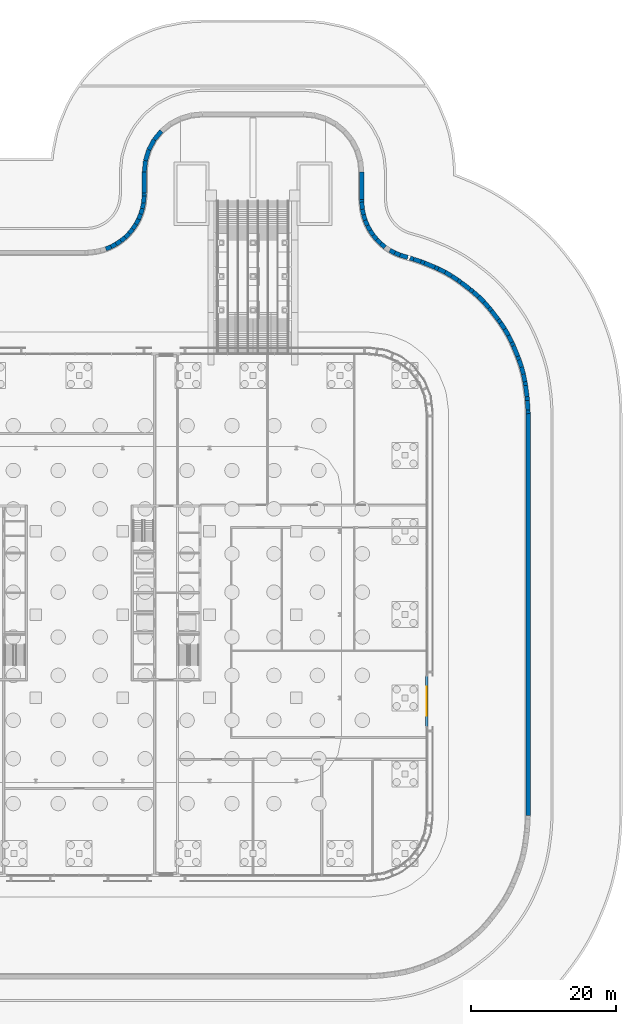
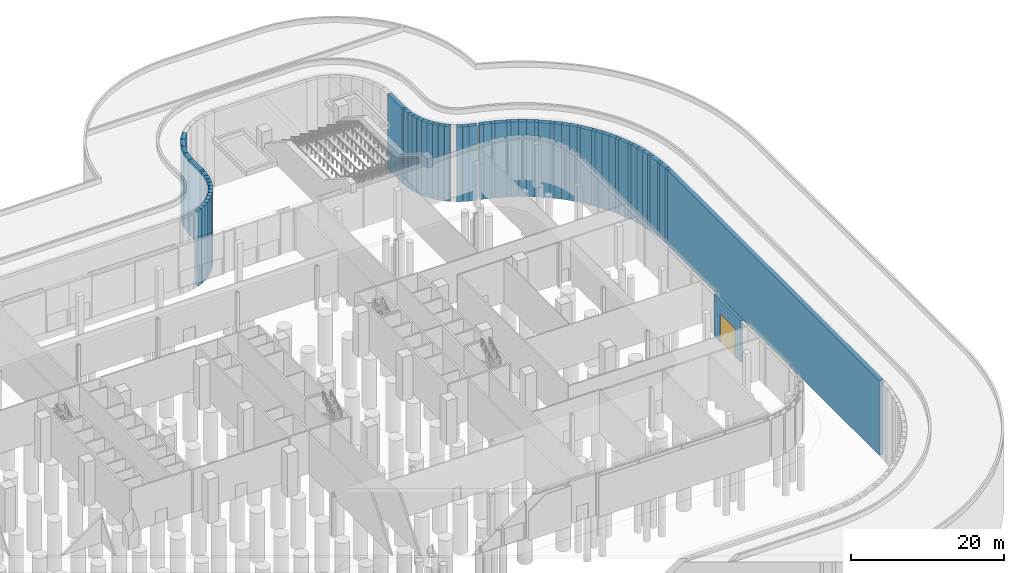
# One storey, part 30 of 48: 65 walls, 1 door, 1 opening.
"""IFC4 building model written with IfcOpenShell, lengths in metres."""

from ifc_helpers import new_model, si_unit, direction, frame, frame_2d, origin, place, context, subcontext, project, spatial, rectangle, extrude, material, layer, layer_set, type_object, element, fill, save


model = new_model("IFC4")

# Units and contexts
model_context = context("Model", 3, precision=1e-05, world=origin(), true_north=direction((0.0, 1.0)))
body_context = subcontext(model_context, "Body", "Model", "MODEL_VIEW")
ifc_project = project(units=[si_unit("LENGTHUNIT", "METRE"), si_unit("AREAUNIT", "SQUARE_METRE"), si_unit("VOLUMEUNIT", "CUBIC_METRE"), si_unit("PLANEANGLEUNIT", "RADIAN"), si_unit("MASSUNIT", "GRAM", prefix="KILO")], contexts=[model_context])

# Site, building, storey
site_placement = place(None, origin())
site = spatial("IfcSite", under=ifc_project, at=site_placement, CompositionType="ELEMENT")
building_placement = place(site_placement, origin())
building = spatial("IfcBuilding", under=site, at=building_placement, Name="Mahtab Terrace Research Tower", CompositionType="ELEMENT")
storey_placement = place(building_placement, origin())
storey = spatial("IfcBuildingStorey", under=building, at=storey_placement, Name="G", CompositionType="ELEMENT", Elevation=0.0)

# Wall, opening, door
ifc_material_1 = material(Name="Precast concrete C40/50", Category="concrete")
ifc_layer_1 = layer(ifc_material_1, 0.300048828125)
ifc_layer_set_1 = layer_set([ifc_layer_1], Name="Ground facade infill wall 300")
wall_type_1 = type_object("IfcWallType", Name="Ground facade infill wall 300", PredefinedType="NOTDEFINED", material=ifc_layer_set_1)
wall_1_placement = place(storey_placement, frame((60.0, -8.5, 0.0), z_axis=(0.0, 0.0, 1.0), x_axis=(0.0, -1.0, 0.0)))
wall_1 = element("IfcWall", 1, at=wall_1_placement, inside=storey, type_object=wall_type_1, Name="Ground facade wall Loading dock", PredefinedType="NOTDEFINED", context=body_context, shape_type="SweptSolid", body=[
    extrude(rectangle(XDim=7.0, YDim=0.300048828125, at=frame_2d((3.5, 0.0))), origin(), (0.0, 0.0, 1.0), 6.699951171875),
])
opening_placement = place(wall_1_placement, frame((1.5, 0.0, 0.0)))
opening = element("IfcOpeningElement", 2, at=opening_placement, cuts=wall_1, Name="Opening ED4", PredefinedType="OPENING", context=body_context, shape_type="SweptSolid", body=[
    extrude(rectangle(XDim=4.0, YDim=4.5, at=frame_2d((2.0, 2.25))), frame((0.0, 0.159912109375, 0.0), z_axis=(0.0, -1.0, 0.0), x_axis=(1.0, 0.0, 0.0)), (0.0, 0.0, 1.0), 0.320068359375),
])
ifc_material_2 = material(Name="Natural anodised aluminium", Category="aluminium")
door_type = type_object("IfcDoorType", Name="Loading dock roller shutter 4000x4500", OperationType="ROLLINGUP", PredefinedType="GATE", material=ifc_material_2)
door_placement = place(opening_placement, origin())
door = element("IfcDoor", 3, at=door_placement, inside=storey, type_object=door_type, Name="Loading dock", OperationType="SINGLE_SWING_LEFT", OverallHeight=4.5, OverallWidth=4.0, PredefinedType="GATE", context=body_context, shape_type="SweptSolid", body=[
    extrude(rectangle(XDim=4.0, YDim=4.5, at=frame_2d((2.0, 2.25))), frame((0.0, 0.02490234375, 0.0), z_axis=(0.0, -1.0, 0.0), x_axis=(1.0, 0.0, 0.0)), (0.0, 0.0, 1.0), 0.050048828125),
])
fill(opening, door)

# Walls
ifc_material_3 = material(Name="Concrete C32/40", Category="concrete")
ifc_layer_2 = layer(ifc_material_3, 0.60009765625)
ifc_layer_set_2 = layer_set([ifc_layer_2], Name="Site retaining wall 600")
wall_type_2 = type_object("IfcWallType", Name="Site retaining wall 600", PredefinedType="SOLIDWALL", material=ifc_layer_set_2)
wall_2_placement = place(storey_placement, frame((15.68505859375, 50.4951171875, -12.25), z_axis=(0.0, 0.0, 1.0), x_axis=(0.924153657399, 0.382020964761, 0.0)))
element("IfcWall", 4, at=wall_2_placement, inside=storey, type_object=wall_type_2, Name="Site retaining wall 37", PredefinedType="SOLIDWALL", context=body_context, shape_type="SweptSolid", body=[
    extrude(rectangle(XDim=0.7822265625, YDim=0.60009765625, at=frame_2d((0.39111328125, 0.0))), origin(), (0.0, 0.0, 1.0), 11.93994140625),
])
wall_3_placement = place(storey_placement, frame((16.407958984375, 50.7939453125, -12.25), z_axis=(0.0, 0.0, 1.0), x_axis=(0.881730317044, 0.471753800202, 0.0)))
element("IfcWall", 5, at=wall_3_placement, inside=storey, type_object=wall_type_2, Name="Site retaining wall 38", PredefinedType="SOLIDWALL", context=body_context, shape_type="SweptSolid", body=[
    extrude(rectangle(XDim=0.782470703125, YDim=0.60009765625, at=frame_2d((0.39111328125, 0.0))), origin(), (0.0, 0.0, 1.0), 11.93994140625),
])
wall_4_placement = place(storey_placement, frame((17.097900390625, 51.1630859375, -12.25), z_axis=(0.0, 0.0, 1.0), x_axis=(0.831233022947, 0.555924150908, 0.0)))
element("IfcWall", 6, at=wall_4_placement, inside=storey, type_object=wall_type_2, Name="Site retaining wall 39", PredefinedType="SOLIDWALL", context=body_context, shape_type="SweptSolid", body=[
    extrude(rectangle(XDim=0.7822265625, YDim=0.60009765625, at=frame_2d((0.39111328125, 0.0))), origin(), (0.0, 0.0, 1.0), 11.93994140625),
])
wall_5_placement = place(storey_placement, frame((17.748046875, 51.597900390625, -12.25), z_axis=(0.0, 0.0, 1.0), x_axis=(0.773261670355, 0.63408705172, 0.0)))
element("IfcWall", 7, at=wall_5_placement, inside=storey, type_object=wall_type_2, Name="Site retaining wall 40", PredefinedType="SOLIDWALL", context=body_context, shape_type="SweptSolid", body=[
    extrude(rectangle(XDim=0.782470703125, YDim=0.60009765625, at=frame_2d((0.39111328125, 0.0))), origin(), (0.0, 0.0, 1.0), 11.93994140625),
])
wall_6_placement = place(storey_placement, frame((18.35302734375, 52.093994140625, -12.25), z_axis=(0.0, 0.0, 1.0), x_axis=(0.707106781187, 0.707106781187, 0.0)))
element("IfcWall", 8, at=wall_6_placement, inside=storey, type_object=wall_type_2, Name="Site retaining wall 41", PredefinedType="SOLIDWALL", context=body_context, shape_type="SweptSolid", body=[
    extrude(rectangle(XDim=0.781982421875, YDim=0.60009765625, at=frame_2d((0.39111328125, 0.0))), origin(), (0.0, 0.0, 1.0), 11.93994140625),
])
wall_7_placement = place(storey_placement, frame((18.906005859375, 52.64697265625, -12.25), z_axis=(0.0, 0.0, 1.0), x_axis=(0.63408705172, 0.773261670355, 0.0)))
element("IfcWall", 9, at=wall_7_placement, inside=storey, type_object=wall_type_2, Name="Site retaining wall 42", PredefinedType="SOLIDWALL", context=body_context, shape_type="SweptSolid", body=[
    extrude(rectangle(XDim=0.782470703125, YDim=0.60009765625, at=frame_2d((0.39111328125, 0.0))), origin(), (0.0, 0.0, 1.0), 11.93994140625),
])
wall_8_placement = place(storey_placement, frame((19.402099609375, 53.251953125, -12.25), z_axis=(0.0, 0.0, 1.0), x_axis=(0.555924150908, 0.831233022947, 0.0)))
element("IfcWall", 10, at=wall_8_placement, inside=storey, type_object=wall_type_2, Name="Site retaining wall 43", PredefinedType="SOLIDWALL", context=body_context, shape_type="SweptSolid", body=[
    extrude(rectangle(XDim=0.7822265625, YDim=0.60009765625, at=frame_2d((0.39111328125, 0.0))), origin(), (0.0, 0.0, 1.0), 11.93994140625),
])
wall_9_placement = place(storey_placement, frame((19.8369140625, 53.902099609375, -12.25), z_axis=(0.0, 0.0, 1.0), x_axis=(0.471753800202, 0.881730317044, 0.0)))
element("IfcWall", 11, at=wall_9_placement, inside=storey, type_object=wall_type_2, Name="Site retaining wall 44", PredefinedType="SOLIDWALL", context=body_context, shape_type="SweptSolid", body=[
    extrude(rectangle(XDim=0.782470703125, YDim=0.60009765625, at=frame_2d((0.39111328125, 0.0))), origin(), (0.0, 0.0, 1.0), 11.93994140625),
])
wall_10_placement = place(storey_placement, frame((20.2060546875, 54.592041015625, -12.25), z_axis=(0.0, 0.0, 1.0), x_axis=(0.382020964761, 0.924153657399, 0.0)))
element("IfcWall", 12, at=wall_10_placement, inside=storey, type_object=wall_type_2, Name="Site retaining wall 45", PredefinedType="SOLIDWALL", context=body_context, shape_type="SweptSolid", body=[
    extrude(rectangle(XDim=0.7822265625, YDim=0.60009765625, at=frame_2d((0.39111328125, 0.0))), origin(), (0.0, 0.0, 1.0), 11.93994140625),
])
wall_11_placement = place(storey_placement, frame((20.5048828125, 55.31494140625, -12.25), z_axis=(0.0, 0.0, 1.0), x_axis=(0.290440753361, 0.956892976663, 0.0)))
element("IfcWall", 13, at=wall_11_placement, inside=storey, type_object=wall_type_2, Name="Site retaining wall 46", PredefinedType="SOLIDWALL", context=body_context, shape_type="SweptSolid", body=[
    extrude(rectangle(XDim=0.78173828125, YDim=0.60009765625, at=frame_2d((0.390869140625, 0.0))), origin(), (0.0, 0.0, 1.0), 11.93994140625),
])
wall_12_placement = place(storey_placement, frame((20.73193359375, 56.06298828125, -12.25), z_axis=(0.0, 0.0, 1.0), x_axis=(0.195695962634, 0.980664616578, 0.0)))
element("IfcWall", 14, at=wall_12_placement, inside=storey, type_object=wall_type_2, Name="Site retaining wall 47", PredefinedType="SOLIDWALL", context=body_context, shape_type="SweptSolid", body=[
    extrude(rectangle(XDim=0.7822265625, YDim=0.60009765625, at=frame_2d((0.39111328125, 0.0))), origin(), (0.0, 0.0, 1.0), 11.93994140625),
])
wall_13_placement = place(storey_placement, frame((20.885009765625, 56.830078125, -12.25), z_axis=(0.0, 0.0, 1.0), x_axis=(0.097948969534, 0.995191438552, 0.0)))
element("IfcWall", 15, at=wall_13_placement, inside=storey, type_object=wall_type_2, Name="Site retaining wall 48", PredefinedType="SOLIDWALL", context=body_context, shape_type="SweptSolid", body=[
    extrude(rectangle(XDim=0.9794921875, YDim=0.60009765625, at=frame_2d((0.48974609375, 0.0))), origin(), (0.0, 0.0, 1.0), 11.93994140625),
])
wall_14_placement = place(storey_placement, frame((20.98095703125, 57.804931640625, -12.25), z_axis=(0.0, 0.0, 1.0), x_axis=(0.048631528965, 0.998816787199, 0.0)))
element("IfcWall", 16, at=wall_14_placement, inside=storey, type_object=wall_type_2, Name="Site retaining wall 49", PredefinedType="SOLIDWALL", context=body_context, shape_type="SweptSolid", body=[
    extrude(rectangle(XDim=0.3916015625, YDim=0.60009765625, at=frame_2d((0.19580078125, 0.0))), origin(), (0.0, 0.0, 1.0), 11.93994140625),
])
wall_15_placement = place(storey_placement, frame((21.0, 58.196044921875, -12.25), z_axis=(0.0, 0.0, 1.0), x_axis=(0.0, 1.0, 0.0)))
element("IfcWall", 17, at=wall_15_placement, inside=storey, type_object=wall_type_2, Name="Site retaining wall 50", PredefinedType="SOLIDWALL", context=body_context, shape_type="SweptSolid", body=[
    extrude(rectangle(XDim=2.9189453125, YDim=0.60009765625, at=frame_2d((1.45947265625, 0.0))), origin(), (0.0, 0.0, 1.0), 11.93994140625),
])
wall_16_placement = place(storey_placement, frame((21.0, 61.114990234375, -12.25), z_axis=(0.0, 0.0, 1.0), x_axis=(0.098209198418, 0.995165791889, 0.0)))
element("IfcWall", 18, at=wall_16_placement, inside=storey, type_object=wall_type_2, Name="Site retaining wall 51", PredefinedType="SOLIDWALL", context=body_context, shape_type="SweptSolid", body=[
    extrude(rectangle(XDim=1.568603515625, YDim=0.60009765625, at=frame_2d((0.7841796875, 0.0))), origin(), (0.0, 0.0, 1.0), 11.93994140625),
])
wall_17_placement = place(storey_placement, frame((21.154052734375, 62.676025390625, -12.25), z_axis=(0.0, 0.0, 1.0), x_axis=(0.290175986022, 0.956973300117, 0.0)))
element("IfcWall", 19, at=wall_17_placement, inside=storey, type_object=wall_type_2, Name="Site retaining wall 52", PredefinedType="SOLIDWALL", context=body_context, shape_type="SweptSolid", body=[
    extrude(rectangle(XDim=1.5673828125, YDim=0.60009765625, at=frame_2d((0.78369140625, 0.0))), origin(), (0.0, 0.0, 1.0), 11.93994140625),
])
wall_18_placement = place(storey_placement, frame((21.60888671875, 64.176025390625, -12.25), z_axis=(0.0, 0.0, 1.0), x_axis=(0.471016228179, 0.882124544944, 0.0)))
element("IfcWall", 20, at=wall_18_placement, inside=storey, type_object=wall_type_2, Name="Site retaining wall 53", PredefinedType="SOLIDWALL", context=body_context, shape_type="SweptSolid", body=[
    extrude(rectangle(XDim=1.569091796875, YDim=0.60009765625, at=frame_2d((0.78466796875, 0.0))), origin(), (0.0, 0.0, 1.0), 11.93994140625),
])
wall_19_placement = place(storey_placement, frame((22.347900390625, 65.56005859375, -12.25), z_axis=(0.0, 0.0, 1.0), x_axis=(0.634593326451, 0.772846239574, 0.0)))
element("IfcWall", 21, at=wall_19_placement, inside=storey, type_object=wall_type_2, Name="Site retaining wall 54", PredefinedType="SOLIDWALL", context=body_context, shape_type="SweptSolid", body=[
    extrude(rectangle(XDim=1.568115234375, YDim=0.60009765625, at=frame_2d((0.7841796875, 0.0))), origin(), (0.0, 0.0, 1.0), 11.93994140625),
])
wall_20_placement = place(storey_placement, frame((51.0, 61.114990234375, -12.25), z_axis=(0.0, 0.0, 1.0), x_axis=(0.0, -1.0, 0.0)))
element("IfcWall", 22, at=wall_20_placement, inside=storey, type_object=wall_type_2, Name="Site retaining wall 68", PredefinedType="SOLIDWALL", context=body_context, shape_type="SweptSolid", body=[
    extrude(rectangle(XDim=3.77197265625, YDim=0.60009765625, at=frame_2d((1.885986328125, 0.0))), origin(), (0.0, 0.0, 1.0), 11.93994140625),
])
wall_21_placement = place(storey_placement, frame((51.0, 57.343017578125, -12.25), z_axis=(0.0, 0.0, 1.0), x_axis=(0.048631528965, -0.998816787199, 0.0)))
element("IfcWall", 23, at=wall_21_placement, inside=storey, type_object=wall_type_2, Name="Site retaining wall 69", PredefinedType="SOLIDWALL", context=body_context, shape_type="SweptSolid", body=[
    extrude(rectangle(XDim=0.3916015625, YDim=0.60009765625, at=frame_2d((0.19580078125, 0.0))), origin(), (0.0, 0.0, 1.0), 11.93994140625),
])
wall_22_placement = place(storey_placement, frame((51.01904296875, 56.951904296875, -12.25), z_axis=(0.0, 0.0, 1.0), x_axis=(0.097948969534, -0.995191438552, 0.0)))
element("IfcWall", 24, at=wall_22_placement, inside=storey, type_object=wall_type_2, Name="Site retaining wall 70", PredefinedType="SOLIDWALL", context=body_context, shape_type="SweptSolid", body=[
    extrude(rectangle(XDim=0.9794921875, YDim=0.60009765625, at=frame_2d((0.48974609375, 0.0))), origin(), (0.0, 0.0, 1.0), 11.93994140625),
])
wall_23_placement = place(storey_placement, frame((51.114990234375, 55.97705078125, -12.25), z_axis=(0.0, 0.0, 1.0), x_axis=(0.195695962634, -0.980664616578, 0.0)))
element("IfcWall", 25, at=wall_23_placement, inside=storey, type_object=wall_type_2, Name="Site retaining wall 71", PredefinedType="SOLIDWALL", context=body_context, shape_type="SweptSolid", body=[
    extrude(rectangle(XDim=0.7822265625, YDim=0.60009765625, at=frame_2d((0.39111328125, 0.0))), origin(), (0.0, 0.0, 1.0), 11.93994140625),
])
wall_24_placement = place(storey_placement, frame((51.26806640625, 55.2099609375, -12.25), z_axis=(0.0, 0.0, 1.0), x_axis=(0.290440753361, -0.956892976663, 0.0)))
element("IfcWall", 26, at=wall_24_placement, inside=storey, type_object=wall_type_2, Name="Site retaining wall 72", PredefinedType="SOLIDWALL", context=body_context, shape_type="SweptSolid", body=[
    extrude(rectangle(XDim=0.78173828125, YDim=0.60009765625, at=frame_2d((0.390869140625, 0.0))), origin(), (0.0, 0.0, 1.0), 11.93994140625),
])
wall_25_placement = place(storey_placement, frame((51.4951171875, 54.4619140625, -12.25), z_axis=(0.0, 0.0, 1.0), x_axis=(0.382020964761, -0.924153657399, 0.0)))
element("IfcWall", 27, at=wall_25_placement, inside=storey, type_object=wall_type_2, Name="Site retaining wall 73", PredefinedType="SOLIDWALL", context=body_context, shape_type="SweptSolid", body=[
    extrude(rectangle(XDim=0.7822265625, YDim=0.60009765625, at=frame_2d((0.39111328125, 0.0))), origin(), (0.0, 0.0, 1.0), 11.93994140625),
])
wall_26_placement = place(storey_placement, frame((51.7939453125, 53.739013671875, -12.25), z_axis=(0.0, 0.0, 1.0), x_axis=(0.471753800202, -0.881730317044, 0.0)))
element("IfcWall", 28, at=wall_26_placement, inside=storey, type_object=wall_type_2, Name="Site retaining wall 74", PredefinedType="SOLIDWALL", context=body_context, shape_type="SweptSolid", body=[
    extrude(rectangle(XDim=0.782470703125, YDim=0.60009765625, at=frame_2d((0.39111328125, 0.0))), origin(), (0.0, 0.0, 1.0), 11.93994140625),
])
wall_27_placement = place(storey_placement, frame((52.1630859375, 53.049072265625, -12.25), z_axis=(0.0, 0.0, 1.0), x_axis=(0.555060557517, -0.831809940725, 0.0)))
element("IfcWall", 29, at=wall_27_placement, inside=storey, type_object=wall_type_2, Name="Site retaining wall 75", PredefinedType="SOLIDWALL", context=body_context, shape_type="SweptSolid", body=[
    extrude(rectangle(XDim=0.781494140625, YDim=0.60009765625, at=frame_2d((0.390625, 0.0))), origin(), (0.0, 0.0, 1.0), 11.93994140625),
])
wall_28_placement = place(storey_placement, frame((52.596923828125, 52.39892578125, -12.25), z_axis=(0.0, 0.0, 1.0), x_axis=(0.63408705172, -0.773261670355, 0.0)))
element("IfcWall", 30, at=wall_28_placement, inside=storey, type_object=wall_type_2, Name="Site retaining wall 76", PredefinedType="SOLIDWALL", context=body_context, shape_type="SweptSolid", body=[
    extrude(rectangle(XDim=0.782470703125, YDim=0.60009765625, at=frame_2d((0.39111328125, 0.0))), origin(), (0.0, 0.0, 1.0), 11.93994140625),
])
wall_29_placement = place(storey_placement, frame((53.093017578125, 51.7939453125, -12.25), z_axis=(0.0, 0.0, 1.0), x_axis=(0.707730331776, -0.706482680244, 0.0)))
element("IfcWall", 31, at=wall_29_placement, inside=storey, type_object=wall_type_2, Name="Site retaining wall 77", PredefinedType="SOLIDWALL", context=body_context, shape_type="SweptSolid", body=[
    extrude(rectangle(XDim=0.78271484375, YDim=0.60009765625, at=frame_2d((0.391357421875, 0.0))), origin(), (0.0, 0.0, 1.0), 11.93994140625),
])
wall_30_placement = place(storey_placement, frame((53.64697265625, 51.240966796875, -12.25), z_axis=(0.0, 0.0, 1.0), x_axis=(0.772912289691, -0.634512878077, 0.0)))
element("IfcWall", 32, at=wall_30_placement, inside=storey, type_object=wall_type_2, Name="Site retaining wall 78", PredefinedType="SOLIDWALL", context=body_context, shape_type="SweptSolid", body=[
    extrude(rectangle(XDim=0.781494140625, YDim=0.60009765625, at=frame_2d((0.390625, 0.0))), origin(), (0.0, 0.0, 1.0), 11.93994140625),
])
wall_31_placement = place(storey_placement, frame((54.90087890625, 50.31005859375, -12.25), z_axis=(0.0, 0.0, 1.0), x_axis=(0.882318380554, -0.470653030731, 0.0)))
element("IfcWall", 33, at=wall_31_placement, inside=storey, type_object=wall_type_2, Name="Site retaining wall 80", PredefinedType="SOLIDWALL", context=body_context, shape_type="SweptSolid", body=[
    extrude(rectangle(XDim=0.7822265625, YDim=0.60009765625, at=frame_2d((0.39111328125, 0.0))), origin(), (0.0, 0.0, 1.0), 11.93994140625),
])
wall_32_placement = place(storey_placement, frame((55.591064453125, 49.94189453125, -12.25), z_axis=(0.0, 0.0, 1.0), x_axis=(0.923712498398, -0.383086439727, 0.0)))
element("IfcWall", 34, at=wall_32_placement, inside=storey, type_object=wall_type_2, Name="Site retaining wall 81", PredefinedType="SOLIDWALL", context=body_context, shape_type="SweptSolid", body=[
    extrude(rectangle(XDim=0.78271484375, YDim=0.60009765625, at=frame_2d((0.391357421875, 0.0))), origin(), (0.0, 0.0, 1.0), 11.93994140625),
])
wall_33_placement = place(storey_placement, frame((56.31396484375, 49.64208984375, -12.25), z_axis=(0.0, 0.0, 1.0), x_axis=(0.956900245963, -0.290416802675, 0.0)))
element("IfcWall", 35, at=wall_33_placement, inside=storey, type_object=wall_type_2, Name="Site retaining wall 82", PredefinedType="SOLIDWALL", context=body_context, shape_type="SweptSolid", body=[
    extrude(rectangle(XDim=1.10888671875, YDim=0.60009765625, at=frame_2d((0.554443359375, 0.0))), origin(), (0.0, 0.0, 1.0), 11.93994140625),
])
wall_34_placement = place(storey_placement, frame((57.68994140625, 49.23291015625, -12.25), z_axis=(0.0, 0.0, 1.0), x_axis=(0.957000866815, -0.29008505807, 0.0)))
element("IfcWall", 36, at=wall_34_placement, inside=storey, type_object=wall_type_2, Name="Site retaining wall 83", PredefinedType="SOLIDWALL", context=body_context, shape_type="SweptSolid", body=[
    extrude(rectangle(XDim=0.5234375, YDim=0.60009765625, at=frame_2d((0.26171875, 0.0))), origin(), (0.0, 0.0, 1.0), 11.93994140625),
])
wall_35_placement = place(storey_placement, frame((58.19091796875, 49.0810546875, -12.25), z_axis=(0.0, 0.0, 1.0), x_axis=(0.946964742373, -0.321337481012, 0.0)))
element("IfcWall", 37, at=wall_35_placement, inside=storey, type_object=wall_type_2, Name="Site retaining wall 84", PredefinedType="SOLIDWALL", context=body_context, shape_type="SweptSolid", body=[
    extrude(rectangle(XDim=1.04541015625, YDim=0.60009765625, at=frame_2d((0.522705078125, 0.0))), origin(), (0.0, 0.0, 1.0), 11.93994140625),
])
wall_36_placement = place(storey_placement, frame((59.180908203125, 48.7451171875, -12.25), z_axis=(0.0, 0.0, 1.0), x_axis=(0.93588679671, -0.352300871053, 0.0)))
element("IfcWall", 38, at=wall_36_placement, inside=storey, type_object=wall_type_2, Name="Site retaining wall 85", PredefinedType="SOLIDWALL", context=body_context, shape_type="SweptSolid", body=[
    extrude(rectangle(XDim=0.5224609375, YDim=0.60009765625, at=frame_2d((0.26123046875, 0.0))), origin(), (0.0, 0.0, 1.0), 11.93994140625),
])
wall_37_placement = place(storey_placement, frame((59.669921875, 48.56103515625, -12.25), z_axis=(0.0, 0.0, 1.0), x_axis=(0.923845720645, -0.382765051235, 0.0)))
element("IfcWall", 39, at=wall_37_placement, inside=storey, type_object=wall_type_2, Name="Site retaining wall 86", PredefinedType="SOLIDWALL", context=body_context, shape_type="SweptSolid", body=[
    extrude(rectangle(XDim=1.565185546875, YDim=0.60009765625, at=frame_2d((0.78271484375, 0.0))), origin(), (0.0, 0.0, 1.0), 11.93994140625),
])
wall_38_placement = place(storey_placement, frame((61.115966796875, 47.9619140625, -12.25), z_axis=(0.0, 0.0, 1.0), x_axis=(0.911483685124, -0.411336227133, 0.0)))
element("IfcWall", 40, at=wall_38_placement, inside=storey, type_object=wall_type_2, Name="Site retaining wall 87", PredefinedType="SOLIDWALL", context=body_context, shape_type="SweptSolid", body=[
    extrude(rectangle(XDim=0.522216796875, YDim=0.60009765625, at=frame_2d((0.26123046875, 0.0))), origin(), (0.0, 0.0, 1.0), 11.93994140625),
])
wall_39_placement = place(storey_placement, frame((61.592041015625, 47.7470703125, -12.25), z_axis=(0.0, 0.0, 1.0), x_axis=(0.896844203557, -0.442346554803, 0.0)))
element("IfcWall", 41, at=wall_39_placement, inside=storey, type_object=wall_type_2, Name="Site retaining wall 88", PredefinedType="SOLIDWALL", context=body_context, shape_type="SweptSolid", body=[
    extrude(rectangle(XDim=1.044677734375, YDim=0.60009765625, at=frame_2d((0.5224609375, 0.0))), origin(), (0.0, 0.0, 1.0), 11.93994140625),
])
wall_40_placement = place(storey_placement, frame((62.529052734375, 47.284912109375, -12.25), z_axis=(0.0, 0.0, 1.0), x_axis=(0.866080661617, -0.499904278411, 0.0)))
element("IfcWall", 42, at=wall_40_placement, inside=storey, type_object=wall_type_2, Name="Site retaining wall 89", PredefinedType="SOLIDWALL", context=body_context, shape_type="SweptSolid", body=[
    extrude(rectangle(XDim=1.046142578125, YDim=0.60009765625, at=frame_2d((0.52294921875, 0.0))), origin(), (0.0, 0.0, 1.0), 11.93994140625),
])
wall_41_placement = place(storey_placement, frame((63.43505859375, 46.761962890625, -12.25), z_axis=(0.0, 0.0, 1.0), x_axis=(0.831402091717, -0.555671271426, 0.0)))
element("IfcWall", 43, at=wall_41_placement, inside=storey, type_object=wall_type_2, Name="Site retaining wall 90", PredefinedType="SOLIDWALL", context=body_context, shape_type="SweptSolid", body=[
    extrude(rectangle(XDim=1.0439453125, YDim=0.60009765625, at=frame_2d((0.52197265625, 0.0))), origin(), (0.0, 0.0, 1.0), 11.93994140625),
])
wall_42_placement = place(storey_placement, frame((64.302978515625, 46.181884765625, -12.25), z_axis=(0.0, 0.0, 1.0), x_axis=(0.812533445215, -0.58291457385, 0.0)))
element("IfcWall", 44, at=wall_42_placement, inside=storey, type_object=wall_type_2, Name="Site retaining wall 91", PredefinedType="SOLIDWALL", context=body_context, shape_type="SweptSolid", body=[
    extrude(rectangle(XDim=0.523193359375, YDim=0.60009765625, at=frame_2d((0.26171875, 0.0))), origin(), (0.0, 0.0, 1.0), 11.93994140625),
])
wall_43_placement = place(storey_placement, frame((64.72802734375, 45.876953125, -12.25), z_axis=(0.0, 0.0, 1.0), x_axis=(0.79368420205, -0.60832999878, 0.0)))
element("IfcWall", 45, at=wall_43_placement, inside=storey, type_object=wall_type_2, Name="Site retaining wall 92", PredefinedType="SOLIDWALL", context=body_context, shape_type="SweptSolid", body=[
    extrude(rectangle(XDim=1.564697265625, YDim=0.60009765625, at=frame_2d((0.7822265625, 0.0))), origin(), (0.0, 0.0, 1.0), 11.93994140625),
])
wall_44_placement = place(storey_placement, frame((65.969970703125, 44.925048828125, -12.25), z_axis=(0.0, 0.0, 1.0), x_axis=(0.772440713315, -0.635086879422, 0.0)))
element("IfcWall", 46, at=wall_44_placement, inside=storey, type_object=wall_type_2, Name="Site retaining wall 93", PredefinedType="SOLIDWALL", context=body_context, shape_type="SweptSolid", body=[
    extrude(rectangle(XDim=0.5244140625, YDim=0.60009765625, at=frame_2d((0.26220703125, 0.0))), origin(), (0.0, 0.0, 1.0), 11.93994140625),
])
wall_45_placement = place(storey_placement, frame((66.375, 44.592041015625, -12.25), z_axis=(0.0, 0.0, 1.0), x_axis=(0.752461019005, -0.658636785245, 0.0)))
element("IfcWall", 47, at=wall_45_placement, inside=storey, type_object=wall_type_2, Name="Site retaining wall 94", PredefinedType="SOLIDWALL", context=body_context, shape_type="SweptSolid", body=[
    extrude(rectangle(XDim=1.046142578125, YDim=0.60009765625, at=frame_2d((0.52294921875, 0.0))), origin(), (0.0, 0.0, 1.0), 11.93994140625),
])
wall_46_placement = place(storey_placement, frame((67.162109375, 43.903076171875, -12.25), z_axis=(0.0, 0.0, 1.0), x_axis=(0.707106781187, -0.707106781187, 0.0)))
element("IfcWall", 48, at=wall_46_placement, inside=storey, type_object=wall_type_2, Name="Site retaining wall 95", PredefinedType="SOLIDWALL", context=body_context, shape_type="SweptSolid", body=[
    extrude(rectangle(XDim=1.0478515625, YDim=0.60009765625, at=frame_2d((0.52392578125, 0.0))), origin(), (0.0, 0.0, 1.0), 11.93994140625),
])
wall_47_placement = place(storey_placement, frame((67.903076171875, 43.162109375, -12.25), z_axis=(0.0, 0.0, 1.0), x_axis=(0.65916488559, -0.751998439895, 0.0)))
element("IfcWall", 49, at=wall_47_placement, inside=storey, type_object=wall_type_2, Name="Site retaining wall 96", PredefinedType="SOLIDWALL", context=body_context, shape_type="SweptSolid", body=[
    extrude(rectangle(XDim=1.046630859375, YDim=0.60009765625, at=frame_2d((0.5234375, 0.0))), origin(), (0.0, 0.0, 1.0), 11.93994140625),
])
wall_48_placement = place(storey_placement, frame((68.593017578125, 42.375, -12.25), z_axis=(0.0, 0.0, 1.0), x_axis=(0.633973662802, -0.773354637197, 0.0)))
element("IfcWall", 50, at=wall_48_placement, inside=storey, type_object=wall_type_2, Name="Site retaining wall 97", PredefinedType="SOLIDWALL", context=body_context, shape_type="SweptSolid", body=[
    extrude(rectangle(XDim=0.523681640625, YDim=0.60009765625, at=frame_2d((0.26171875, 0.0))), origin(), (0.0, 0.0, 1.0), 11.93994140625),
])
wall_49_placement = place(storey_placement, frame((68.925048828125, 41.969970703125, -12.25), z_axis=(0.0, 0.0, 1.0), x_axis=(0.60832999878, -0.79368420205, 0.0)))
element("IfcWall", 51, at=wall_49_placement, inside=storey, type_object=wall_type_2, Name="Site retaining wall 98", PredefinedType="SOLIDWALL", context=body_context, shape_type="SweptSolid", body=[
    extrude(rectangle(XDim=1.564697265625, YDim=0.60009765625, at=frame_2d((0.7822265625, 0.0))), origin(), (0.0, 0.0, 1.0), 11.93994140625),
])
wall_50_placement = place(storey_placement, frame((69.876953125, 40.72802734375, -12.25), z_axis=(0.0, 0.0, 1.0), x_axis=(0.58291457385, -0.812533445215, 0.0)))
element("IfcWall", 52, at=wall_50_placement, inside=storey, type_object=wall_type_2, Name="Site retaining wall 99", PredefinedType="SOLIDWALL", context=body_context, shape_type="SweptSolid", body=[
    extrude(rectangle(XDim=0.523193359375, YDim=0.60009765625, at=frame_2d((0.26171875, 0.0))), origin(), (0.0, 0.0, 1.0), 11.93994140625),
])
wall_51_placement = place(storey_placement, frame((70.181884765625, 40.302978515625, -12.25), z_axis=(0.0, 0.0, 1.0), x_axis=(0.555671271426, -0.831402091717, 0.0)))
element("IfcWall", 53, at=wall_51_placement, inside=storey, type_object=wall_type_2, Name="Site retaining wall 100", PredefinedType="SOLIDWALL", context=body_context, shape_type="SweptSolid", body=[
    extrude(rectangle(XDim=1.0439453125, YDim=0.60009765625, at=frame_2d((0.52197265625, 0.0))), origin(), (0.0, 0.0, 1.0), 11.93994140625),
])
wall_52_placement = place(storey_placement, frame((70.761962890625, 39.43505859375, -12.25), z_axis=(0.0, 0.0, 1.0), x_axis=(0.499904278411, -0.866080661617, 0.0)))
element("IfcWall", 54, at=wall_52_placement, inside=storey, type_object=wall_type_2, Name="Site retaining wall 101", PredefinedType="SOLIDWALL", context=body_context, shape_type="SweptSolid", body=[
    extrude(rectangle(XDim=1.046142578125, YDim=0.60009765625, at=frame_2d((0.52294921875, 0.0))), origin(), (0.0, 0.0, 1.0), 11.93994140625),
])
wall_53_placement = place(storey_placement, frame((71.284912109375, 38.529052734375, -12.25), z_axis=(0.0, 0.0, 1.0), x_axis=(0.442346554803, -0.896844203557, 0.0)))
element("IfcWall", 55, at=wall_53_placement, inside=storey, type_object=wall_type_2, Name="Site retaining wall 102", PredefinedType="SOLIDWALL", context=body_context, shape_type="SweptSolid", body=[
    extrude(rectangle(XDim=1.044677734375, YDim=0.60009765625, at=frame_2d((0.5224609375, 0.0))), origin(), (0.0, 0.0, 1.0), 11.93994140625),
])
wall_54_placement = place(storey_placement, frame((71.7470703125, 37.592041015625, -12.25), z_axis=(0.0, 0.0, 1.0), x_axis=(0.412887794594, -0.91078189984, 0.0)))
element("IfcWall", 56, at=wall_54_placement, inside=storey, type_object=wall_type_2, Name="Site retaining wall 103", PredefinedType="SOLIDWALL", context=body_context, shape_type="SweptSolid", body=[
    extrude(rectangle(XDim=0.522705078125, YDim=0.60009765625, at=frame_2d((0.26123046875, 0.0))), origin(), (0.0, 0.0, 1.0), 11.93994140625),
])
wall_55_placement = place(storey_placement, frame((71.962890625, 37.115966796875, -12.25), z_axis=(0.0, 0.0, 1.0), x_axis=(0.382232364192, -0.924066242086, 0.0)))
element("IfcWall", 57, at=wall_55_placement, inside=storey, type_object=wall_type_2, Name="Site retaining wall 104", PredefinedType="SOLIDWALL", context=body_context, shape_type="SweptSolid", body=[
    extrude(rectangle(XDim=1.56494140625, YDim=0.60009765625, at=frame_2d((0.782470703125, 0.0))), origin(), (0.0, 0.0, 1.0), 11.93994140625),
])
wall_56_placement = place(storey_placement, frame((72.56103515625, 35.669921875, -12.25), z_axis=(0.0, 0.0, 1.0), x_axis=(0.353936254393, -0.935269548219, 0.0)))
element("IfcWall", 58, at=wall_56_placement, inside=storey, type_object=wall_type_2, Name="Site retaining wall 105", PredefinedType="SOLIDWALL", context=body_context, shape_type="SweptSolid", body=[
    extrude(rectangle(XDim=0.52294921875, YDim=0.60009765625, at=frame_2d((0.261474609375, 0.0))), origin(), (0.0, 0.0, 1.0), 11.93994140625),
])
wall_57_placement = place(storey_placement, frame((72.74609375, 35.180908203125, -12.25), z_axis=(0.0, 0.0, 1.0), x_axis=(0.320783352767, -0.947152596252, 0.0)))
element("IfcWall", 59, at=wall_57_placement, inside=storey, type_object=wall_type_2, Name="Site retaining wall 106", PredefinedType="SOLIDWALL", context=body_context, shape_type="SweptSolid", body=[
    extrude(rectangle(XDim=1.044189453125, YDim=0.60009765625, at=frame_2d((0.52197265625, 0.0))), origin(), (0.0, 0.0, 1.0), 11.93994140625),
])
wall_58_placement = place(storey_placement, frame((73.0810546875, 34.19189453125, -12.25), z_axis=(0.0, 0.0, 1.0), x_axis=(0.259144501686, -0.965838561689, 0.0)))
element("IfcWall", 60, at=wall_58_placement, inside=storey, type_object=wall_type_2, Name="Site retaining wall 107", PredefinedType="SOLIDWALL", context=body_context, shape_type="SweptSolid", body=[
    extrude(rectangle(XDim=1.045654296875, YDim=0.60009765625, at=frame_2d((0.52294921875, 0.0))), origin(), (0.0, 0.0, 1.0), 11.93994140625),
])
wall_59_placement = place(storey_placement, frame((73.35205078125, 33.181884765625, -12.25), z_axis=(0.0, 0.0, 1.0), x_axis=(0.195082654278, -0.98078680558, 0.0)))
element("IfcWall", 61, at=wall_59_placement, inside=storey, type_object=wall_type_2, Name="Site retaining wall 108", PredefinedType="SOLIDWALL", context=body_context, shape_type="SweptSolid", body=[
    extrude(rectangle(XDim=1.044921875, YDim=0.60009765625, at=frame_2d((0.5224609375, 0.0))), origin(), (0.0, 0.0, 1.0), 11.93994140625),
])
wall_60_placement = place(storey_placement, frame((73.555908203125, 32.156982421875, -12.25), z_axis=(0.0, 0.0, 1.0), x_axis=(0.162960149315, -0.98663265187, 0.0)))
element("IfcWall", 62, at=wall_60_placement, inside=storey, type_object=wall_type_2, Name="Site retaining wall 109", PredefinedType="SOLIDWALL", context=body_context, shape_type="SweptSolid", body=[
    extrude(rectangle(XDim=0.52294921875, YDim=0.60009765625, at=frame_2d((0.261474609375, 0.0))), origin(), (0.0, 0.0, 1.0), 11.93994140625),
])
wall_61_placement = place(storey_placement, frame((73.64111328125, 31.64111328125, -12.25), z_axis=(0.0, 0.0, 1.0), x_axis=(0.130926793734, -0.991392038844, 0.0)))
element("IfcWall", 63, at=wall_61_placement, inside=storey, type_object=wall_type_2, Name="Site retaining wall 110", PredefinedType="SOLIDWALL", context=body_context, shape_type="SweptSolid", body=[
    extrude(rectangle(XDim=1.564453125, YDim=0.60009765625, at=frame_2d((0.7822265625, 0.0))), origin(), (0.0, 0.0, 1.0), 11.93994140625),
])
wall_62_placement = place(storey_placement, frame((73.845947265625, 30.090087890625, -12.25), z_axis=(0.0, 0.0, 1.0), x_axis=(0.097291158151, -0.995255962326, 0.0)))
element("IfcWall", 64, at=wall_62_placement, inside=storey, type_object=wall_type_2, Name="Site retaining wall 111", PredefinedType="SOLIDWALL", context=body_context, shape_type="SweptSolid", body=[
    extrude(rectangle(XDim=0.5244140625, YDim=0.60009765625, at=frame_2d((0.26220703125, 0.0))), origin(), (0.0, 0.0, 1.0), 11.93994140625),
])
wall_63_placement = place(storey_placement, frame((73.89697265625, 29.568115234375, -12.25), z_axis=(0.0, 0.0, 1.0), x_axis=(0.065652444475, -0.997842550974, 0.0)))
element("IfcWall", 65, at=wall_63_placement, inside=storey, type_object=wall_type_2, Name="Site retaining wall 112", PredefinedType="SOLIDWALL", context=body_context, shape_type="SweptSolid", body=[
    extrude(rectangle(XDim=1.30908203125, YDim=0.60009765625, at=frame_2d((0.654541015625, 0.0))), origin(), (0.0, 0.0, 1.0), 11.93994140625),
])
wall_64_placement = place(storey_placement, frame((73.98291015625, 28.261962890625, -12.25), z_axis=(0.0, 0.0, 1.0), x_axis=(0.032601486541, -0.999468430254, 0.0)))
element("IfcWall", 66, at=wall_64_placement, inside=storey, type_object=wall_type_2, Name="Site retaining wall 113", PredefinedType="SOLIDWALL", context=body_context, shape_type="SweptSolid", body=[
    extrude(rectangle(XDim=0.524169921875, YDim=0.60009765625, at=frame_2d((0.26220703125, 0.0))), origin(), (0.0, 0.0, 1.0), 11.93994140625),
])
wall_65_placement = place(storey_placement, frame((74.0, 27.738037109375, -12.25), z_axis=(0.0, 0.0, 1.0), x_axis=(0.0, -1.0, 0.0)))
element("IfcWall", 67, at=wall_65_placement, inside=storey, type_object=wall_type_2, Name="Site retaining wall 114", PredefinedType="SOLIDWALL", context=body_context, shape_type="SweptSolid", body=[
    extrude(rectangle(XDim=55.47607421875, YDim=0.60009765625, at=frame_2d((27.738037109375, 0.0))), origin(), (0.0, 0.0, 1.0), 11.93994140625),
])

save(model, "model.ifc")
